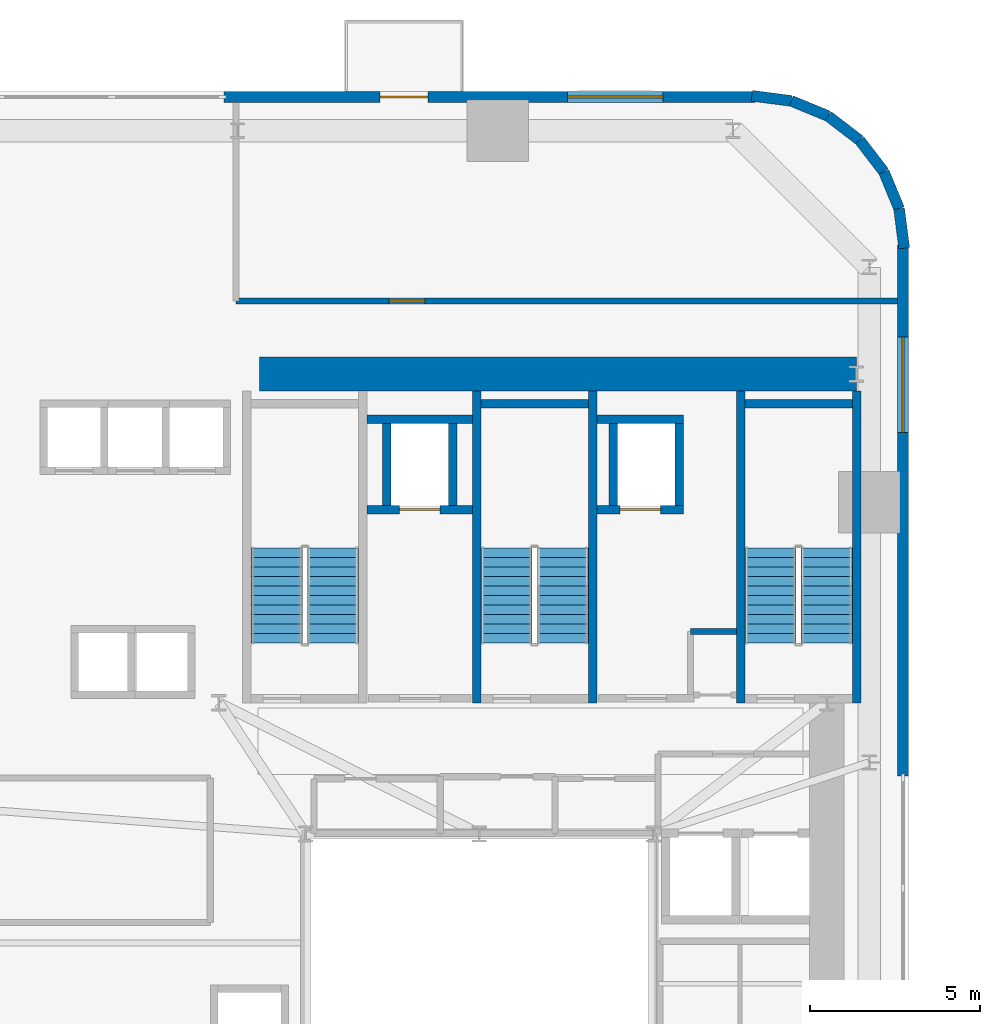
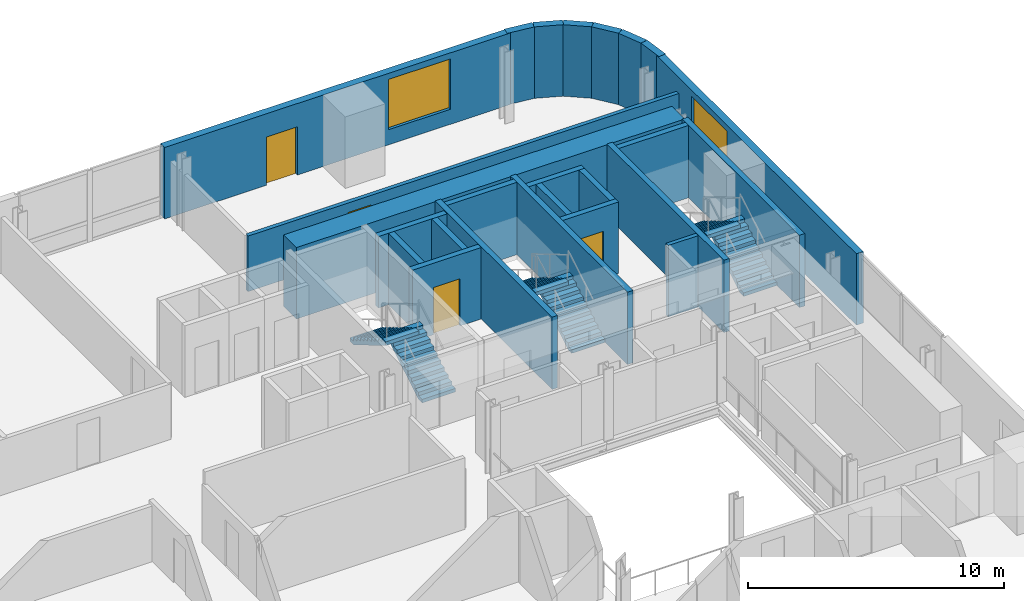
# One storey, part 9 of 13: 25 walls, 6 stair flights, 4 doors, 2 windows, 6 openings, 3 elements without a shape of their own.
"""IFC4 building model written with IfcOpenShell, lengths in metres."""

from ifc_helpers import new_model, si_unit, direction, frame, frame_2d, origin, place, context, subcontext, project, spatial, polyline, rectangle, outline, extrude, source, transform, mapped, material, layer, layer_set, type_object, element, fill, aggregate, save


model = new_model("IFC4")

# Units and contexts
model_context = context("Model", 3, precision=1e-05, world=origin(), true_north=direction((0.0, 1.0)))
body_context = subcontext(model_context, "Body", "Model", "MODEL_VIEW")
ifc_project = project(units=[si_unit("LENGTHUNIT", "METRE"), si_unit("AREAUNIT", "SQUARE_METRE"), si_unit("VOLUMEUNIT", "CUBIC_METRE"), si_unit("PLANEANGLEUNIT", "RADIAN"), si_unit("MASSUNIT", "GRAM", prefix="KILO")], contexts=[model_context])

# Site, building, storey
site_placement = place(None, origin())
site = spatial("IfcSite", under=ifc_project, at=site_placement, CompositionType="ELEMENT")
building_placement = place(site_placement, origin())
building = spatial("IfcBuilding", under=site, at=building_placement, Name="Vardaveli Station Tower", CompositionType="ELEMENT")
storey_placement = place(building_placement, frame((0.0, 0.0, 56.800048828125)))
storey = spatial("IfcBuildingStorey", under=building, at=storey_placement, Name="L14", CompositionType="ELEMENT", Elevation=56.800048828125)

# Wall
ifc_material_1 = material(Name="Concrete C60/75", Category="concrete")
ifc_layer_1 = layer(ifc_material_1, 1.0, Name="Concrete C60/75")
ifc_layer_set_1 = layer_set([ifc_layer_1], Name="Concrete C60/75")
wall_type_1 = type_object("IfcWallType", Name="WAL-CORE-1000", PredefinedType="SHEAR", material=ifc_layer_set_1)
shared_shape_1 = source(origin(), body_context, "Body", "SweptSolid", [
    extrude(rectangle(XDim=17.52001953125, YDim=1.0, at=frame_2d((8.760009765625, 0.0))), origin(), (0.0, 0.0, 1.0), 3.409912109375),
])
wall_1_placement = place(storey_placement, frame((29.85009765625, 40.300048828125, 0.0), z_axis=(0.0, 0.0, 1.0), x_axis=(1.0, 0.0, 0.0)))
element("IfcWall", 1, at=wall_1_placement, inside=storey, type_object=wall_type_1, Name="SW-L14-NORTH", PredefinedType="SHEAR", context=body_context, shape_type="MappedRepresentation", body=[
    mapped(shared_shape_1, transform((0.0, 0.0, 0.0), scale=1.0)),
])

# Wall, openings, door, window
ifc_material_2 = material(Name="Precast concrete C45/55", Category="concrete")
ifc_layer_2 = layer(ifc_material_2, 0.320068359375, Name="Precast concrete C45/55")
ifc_layer_set_2 = layer_set([ifc_layer_2], Name="Precast concrete C45/55")
wall_type_2 = type_object("IfcWallType", Name="WAL-EXT-STONE-320", PredefinedType="SOLIDWALL", material=ifc_layer_set_2)
shared_shape_2 = source(origin(), body_context, "Body", "SweptSolid", [
    extrude(rectangle(XDim=15.599853515625, YDim=0.320068359375, at=frame_2d((7.7998046875, 0.0))), origin(), (0.0, 0.0, 1.0), 3.409912109375),
])
wall_2_placement = place(storey_placement, frame((44.39990234375, 48.43994140625, 0.0), z_axis=(0.0, 0.0, 1.0), x_axis=(-1.0, 0.0, 0.0)))
wall_2 = element("IfcWall", 2, at=wall_2_placement, inside=storey, type_object=wall_type_2, Name="EW-L14-N1", PredefinedType="SOLIDWALL", context=body_context, shape_type="MappedRepresentation", body=[
    mapped(shared_shape_2, transform((0.0, 0.0, 0.0), scale=1.0)),
])
shared_shape_3 = source(origin(), body_context, "Body", "SweptSolid", [
    extrude(rectangle(XDim=1.39990234375, YDim=2.300048828125, at=frame_2d((0.699951171875, 1.14990234375))), frame((0.0, 0.169921875, 0.0), z_axis=(0.0, -1.0, 0.0), x_axis=(1.0, 0.0, 0.0)), (0.0, 0.0, 1.0), 0.340087890625),
])
opening_1_placement = place(wall_2_placement, frame((9.6103515625, 0.0, 0.0)))
opening_1 = element("IfcOpeningElement", 3, at=opening_1_placement, cuts=wall_2, Name="Opening D-09", PredefinedType="OPENING", context=body_context, shape_type="MappedRepresentation", body=[
    mapped(shared_shape_3, transform((0.0, 0.0, 0.0), scale=1.0)),
])
shared_shape_4 = source(origin(), body_context, "Body", "SweptSolid", [
    extrude(rectangle(XDim=2.800048828125, YDim=2.39990234375, at=frame_2d((1.39990234375, 1.199951171875))), frame((0.0, 0.169921875, 0.0), z_axis=(0.0, -1.0, 0.0), x_axis=(1.0, 0.0, 0.0)), (0.0, 0.0, 1.0), 0.340087890625),
])
opening_2_placement = place(wall_2_placement, frame((2.705078125, 0.0, 0.719970703125)))
opening_2 = element("IfcOpeningElement", 4, at=opening_2_placement, cuts=wall_2, Name="Opening W-04", PredefinedType="OPENING", context=body_context, shape_type="MappedRepresentation", body=[
    mapped(shared_shape_4, transform((0.0, 0.0, 0.0), scale=1.0)),
])
ifc_material_3 = material(Name="Thermally broken aluminium glass", Category="aluminium")
door_type_1 = type_object("IfcDoorType", Name="DR-LOG-1400x2300", OperationType="DOUBLE_DOOR_SLIDING", PredefinedType="DOOR", material=ifc_material_3)
shared_shape_5 = source(origin(), body_context, "Body", "SweptSolid", [
    extrude(rectangle(XDim=1.39990234375, YDim=2.300048828125, at=frame_2d((0.699951171875, 1.14990234375))), frame((0.0, 0.02490234375, 0.0), z_axis=(0.0, -1.0, 0.0), x_axis=(1.0, 0.0, 0.0)), (0.0, 0.0, 1.0), 0.050048828125),
])
door_1_placement = place(opening_1_placement, frame((1.39990234375, 0.0, 0.0), z_axis=(0.0, 0.0, 1.0), x_axis=(-1.0, 0.0, 0.0)))
door_1 = element("IfcDoor", 5, at=door_1_placement, inside=storey, type_object=door_type_1, Name="DLG-L14-N", OperationType="DOUBLE_DOOR_SLIDING", OverallHeight=2.300048828125, OverallWidth=1.39990234375, PredefinedType="DOOR", context=body_context, shape_type="MappedRepresentation", body=[
    mapped(shared_shape_5, transform((0.0, 0.0, 0.0), scale=1.0)),
])
fill(opening_1, door_1)
ifc_material_4 = material(Name="Low-E solar-control glass", Category="glass")
window_type = type_object("IfcWindowType", Name="WIN-SUITE-2800x2400", PartitioningType="SINGLE_PANEL", PredefinedType="WINDOW", material=ifc_material_4)
shared_shape_6 = source(origin(), body_context, "Body", "SweptSolid", [
    extrude(rectangle(XDim=2.800048828125, YDim=2.39990234375, at=frame_2d((1.39990234375, 1.199951171875))), frame((0.0, 0.030029296875, 0.0), z_axis=(0.0, -1.0, 0.0), x_axis=(1.0, 0.0, 0.0)), (0.0, 0.0, 1.0), 0.06005859375),
])
window_1_placement = place(opening_2_placement, origin())
window_1 = element("IfcWindow", 6, at=window_1_placement, inside=storey, type_object=window_type, Name="WN-L14-N1", OverallHeight=2.39990234375, OverallWidth=2.800048828125, PartitioningType="SINGLE_PANEL", PredefinedType="WINDOW", context=body_context, shape_type="MappedRepresentation", body=[
    mapped(shared_shape_6, transform((0.0, 0.0, 0.0), scale=1.0)),
])
fill(opening_2, window_1)

# Wall, opening, window
shared_shape_7 = source(origin(), body_context, "Body", "SweptSolid", [
    extrude(rectangle(XDim=15.60009765625, YDim=0.320068359375, at=frame_2d((7.800048828125, 0.0))), origin(), (0.0, 0.0, 1.0), 3.409912109375),
])
wall_3_placement = place(storey_placement, frame((48.739990234375, 28.5, 0.0), z_axis=(0.0, 0.0, 1.0), x_axis=(0.0, 1.0, 0.0)))
wall_3 = element("IfcWall", 7, at=wall_3_placement, inside=storey, type_object=wall_type_2, Name="EW-L14-E2", PredefinedType="SOLIDWALL", context=body_context, shape_type="MappedRepresentation", body=[
    mapped(shared_shape_7, transform((0.0, 0.0, 0.0), scale=1.0)),
])
opening_3_placement = place(wall_3_placement, frame((10.094970703125, 0.0, 0.719970703125)))
opening_3 = element("IfcOpeningElement", 8, at=opening_3_placement, cuts=wall_3, Name="Opening W-04", PredefinedType="OPENING", context=body_context, shape_type="MappedRepresentation", body=[
    mapped(shared_shape_4, transform((0.0, 0.0, 0.0), scale=1.0)),
])
window_2_placement = place(opening_3_placement, origin())
window_2 = element("IfcWindow", 9, at=window_2_placement, inside=storey, type_object=window_type, Name="WN-L14-E2", OverallHeight=2.39990234375, OverallWidth=2.800048828125, PartitioningType="SINGLE_PANEL", PredefinedType="WINDOW", context=body_context, shape_type="MappedRepresentation", body=[
    mapped(shared_shape_6, transform((0.0, 0.0, 0.0), scale=1.0)),
])
fill(opening_3, window_2)

# Walls
shared_shape_8 = source(origin(), body_context, "Body", "SweptSolid", [
    extrude(rectangle(XDim=1.1689453125, YDim=0.320068359375, at=frame_2d((0.58447265625, 0.0))), origin(), (0.0, 0.0, 1.0), 3.409912109375),
])
wall_4_placement = place(storey_placement, frame((48.179931640625, 46.2412109375, 0.0), z_axis=(0.0, 0.0, 1.0), x_axis=(-0.608387696831, 0.793639975269, 0.0)))
element("IfcWall", 10, at=wall_4_placement, inside=storey, type_object=wall_type_2, Name="EW-L14-CR3-3", PredefinedType="SOLIDWALL", context=body_context, shape_type="MappedRepresentation", body=[
    mapped(shared_shape_8, transform((0.0, 0.0, 0.0), scale=1.0)),
])
shared_shape_9 = source(origin(), body_context, "Body", "SweptSolid", [
    extrude(rectangle(XDim=1.168701171875, YDim=0.320068359375, at=frame_2d((0.58447265625, 0.0))), origin(), (0.0, 0.0, 1.0), 3.409912109375),
])
wall_5_placement = place(storey_placement, frame((47.46875, 47.1689453125, 0.0), z_axis=(0.0, 0.0, 1.0), x_axis=(-0.793663520347, 0.608356981114, 0.0)))
element("IfcWall", 11, at=wall_5_placement, inside=storey, type_object=wall_type_2, Name="EW-L14-CR3-4", PredefinedType="SOLIDWALL", context=body_context, shape_type="MappedRepresentation", body=[
    mapped(shared_shape_9, transform((0.0, 0.0, 0.0), scale=1.0)),
])
shared_shape_10 = source(origin(), body_context, "Body", "SweptSolid", [
    extrude(rectangle(XDim=1.17041015625, YDim=0.320068359375, at=frame_2d((0.585205078125, 0.0))), origin(), (0.0, 0.0, 1.0), 3.409912109375),
])
for number, where, z_axis, x_axis, name in (
    (12, (48.775634765625, 43.99951171875, 0.0), (0.0, 0.0, 1.0), (-0.128295670475, 0.991735963317, 0.0), "EW-L14-CR3-1"),
    (13, (45.460205078125, 48.325439453125, 0.0), (0.0, 0.0, 1.0), (-0.991735963317, 0.128295670475, 0.0), "EW-L14-CR3-6"),
):
    element("IfcWall", number, at=place(storey_placement, frame(where, z_axis=z_axis, x_axis=x_axis)), inside=storey, type_object=wall_type_2, Name=name, PredefinedType="SOLIDWALL", context=body_context, shape_type="MappedRepresentation", body=[
        mapped(shared_shape_10, transform((0.0, 0.0, 0.0), scale=1.0)),
    ])
shared_shape_11 = source(origin(), body_context, "Body", "SweptSolid", [
    extrude(rectangle(XDim=1.169189453125, YDim=0.320068359375, at=frame_2d((0.58447265625, 0.0))), origin(), (0.0, 0.0, 1.0), 3.409912109375),
])
for number, where, z_axis, x_axis, name in (
    (14, (48.62548828125, 45.16015625, 0.0), (0.0, 0.0, 1.0), (-0.381054331552, 0.924552646638, 0.0), "EW-L14-CR3-2"),
    (15, (46.541259765625, 47.8798828125, 0.0), (0.0, 0.0, 1.0), (-0.924552646638, 0.381054331552, 0.0), "EW-L14-CR3-5"),
):
    element("IfcWall", number, at=place(storey_placement, frame(where, z_axis=z_axis, x_axis=x_axis)), inside=storey, type_object=wall_type_2, Name=name, PredefinedType="SOLIDWALL", context=body_context, shape_type="MappedRepresentation", body=[
        mapped(shared_shape_11, transform((0.0, 0.0, 0.0), scale=1.0)),
    ])
ifc_material_5 = material(Name="Concrete C40/50", Category="concrete")
ifc_layer_3 = layer(ifc_material_5, 0.25, Name="Concrete C40/50")
ifc_layer_set_3 = layer_set([ifc_layer_3], Name="Concrete C40/50")
wall_type_3 = type_object("IfcWallType", Name="WAL-SHAFT-250", PredefinedType="SOLIDWALL", material=ifc_layer_set_3)
shared_shape_12 = source(origin(), body_context, "Body", "SweptSolid", [
    extrude(rectangle(XDim=9.150146484375, YDim=0.25, at=frame_2d((4.5751953125, 0.0))), origin(), (0.0, 0.0, 1.0), 3.449951171875),
])
for number, where, z_axis, x_axis, name in (
    (16, (36.22509765625, 30.64990234375, 0.0), (0.0, 0.0, 1.0), (0.0, 1.0, 0.0), "W-L14-ST-2W"),
    (17, (39.625, 30.64990234375, 0.0), (0.0, 0.0, 1.0), (0.0, 1.0, 0.0), "W-L14-ST-2E"),
    (18, (43.97509765625, 30.64990234375, 0.0), (0.0, 0.0, 1.0), (0.0, 1.0, 0.0), "W-L14-ST-3W"),
    (19, (47.375, 30.64990234375, 0.0), (0.0, 0.0, 1.0), (0.0, 1.0, 0.0), "W-L14-ST-3E"),
):
    element("IfcWall", number, at=place(storey_placement, frame(where, z_axis=z_axis, x_axis=x_axis)), inside=storey, type_object=wall_type_3, Name=name, PredefinedType="SOLIDWALL", context=body_context, shape_type="MappedRepresentation", body=[
        mapped(shared_shape_12, transform((0.0, 0.0, 0.0), scale=1.0)),
    ])
shared_shape_13 = source(origin(), body_context, "Body", "SweptSolid", [
    extrude(rectangle(XDim=3.14990234375, YDim=0.25, at=frame_2d((1.574951171875, 0.0))), origin(), (0.0, 0.0, 1.0), 3.449951171875),
])
for number, where, z_axis, x_axis, name in (
    (20, (36.35009765625, 39.425048828125, 0.0), (0.0, 0.0, 1.0), (1.0, 0.0, 0.0), "W-L14-ST-2N"),
    (21, (44.10009765625, 39.425048828125, 0.0), (0.0, 0.0, 1.0), (1.0, 0.0, 0.0), "W-L14-ST-3N"),
):
    element("IfcWall", number, at=place(storey_placement, frame(where, z_axis=z_axis, x_axis=x_axis)), inside=storey, type_object=wall_type_3, Name=name, PredefinedType="SOLIDWALL", context=body_context, shape_type="MappedRepresentation", body=[
        mapped(shared_shape_13, transform((0.0, 0.0, 0.0), scale=1.0)),
    ])

# Wall, opening, door
shared_shape_14 = source(origin(), body_context, "Body", "SweptSolid", [
    extrude(rectangle(XDim=3.10009765625, YDim=0.25, at=frame_2d((1.550048828125, 0.0))), origin(), (0.0, 0.0, 1.0), 3.409912109375),
])
wall_6_placement = place(storey_placement, frame((33.0, 36.324951171875, 0.0), z_axis=(0.0, 0.0, 1.0), x_axis=(1.0, 0.0, 0.0)))
wall_6 = element("IfcWall", 22, at=wall_6_placement, inside=storey, type_object=wall_type_3, Name="SHW-FFL-01-L14-S", PredefinedType="SOLIDWALL", context=body_context, shape_type="MappedRepresentation", body=[
    mapped(shared_shape_14, transform((0.0, 0.0, 0.0), scale=1.0)),
])
shared_shape_15 = source(origin(), body_context, "Body", "SweptSolid", [
    extrude(rectangle(XDim=1.199951171875, YDim=2.25, at=frame_2d((0.60009765625, 1.125))), frame((0.0, 0.135009765625, 0.0), z_axis=(0.0, -1.0, 0.0), x_axis=(1.0, 0.0, 0.0)), (0.0, 0.0, 1.0), 0.27001953125),
])
opening_4_placement = place(wall_6_placement, frame((0.949951171875, 0.0, 0.0)))
opening_4 = element("IfcOpeningElement", 23, at=opening_4_placement, cuts=wall_6, Name="Opening LD-02", PredefinedType="OPENING", context=body_context, shape_type="MappedRepresentation", body=[
    mapped(shared_shape_15, transform((0.0, 0.0, 0.0), scale=1.0)),
])
ifc_material_6 = material(Name="Brushed stainless steel", Category="steel")
door_type_2 = type_object("IfcDoorType", Name="DR-LD-1200x2250", OperationType="DOUBLE_DOOR_SLIDING", PredefinedType="DOOR", material=ifc_material_6)
shared_shape_16 = source(origin(), body_context, "Body", "SweptSolid", [
    extrude(rectangle(XDim=1.199951171875, YDim=2.25, at=frame_2d((0.60009765625, 1.125))), frame((0.0, 0.02490234375, 0.0), z_axis=(0.0, -1.0, 0.0), x_axis=(1.0, 0.0, 0.0)), (0.0, 0.0, 1.0), 0.050048828125),
])
door_2_placement = place(opening_4_placement, origin())
door_2 = element("IfcDoor", 24, at=door_2_placement, inside=storey, type_object=door_type_2, Name="LD-FFL-01-L14", OperationType="DOUBLE_DOOR_SLIDING", OverallHeight=2.25, OverallWidth=1.199951171875, PredefinedType="DOOR", context=body_context, shape_type="MappedRepresentation", body=[
    mapped(shared_shape_16, transform((0.0, 0.0, 0.0), scale=1.0)),
])
fill(opening_4, door_2)

# Walls
wall_7_placement = place(storey_placement, frame((33.0, 38.97509765625, 0.0), z_axis=(0.0, 0.0, 1.0), x_axis=(1.0, 0.0, 0.0)))
element("IfcWall", 25, at=wall_7_placement, inside=storey, type_object=wall_type_3, Name="SHW-FFL-01-L14-N", PredefinedType="SOLIDWALL", context=body_context, shape_type="MappedRepresentation", body=[
    mapped(shared_shape_14, transform((0.0, 0.0, 0.0), scale=1.0)),
])
shared_shape_17 = source(origin(), body_context, "Body", "SweptSolid", [
    extrude(rectangle(XDim=2.400146484375, YDim=0.25, at=frame_2d((1.2001953125, 0.0))), origin(), (0.0, 0.0, 1.0), 3.409912109375),
])
for number, where, z_axis, x_axis, name in (
    (26, (33.574951171875, 36.449951171875, 0.0), (0.0, 0.0, 1.0), (0.0, 1.0, 0.0), "SHW-FFL-01-L14-W"),
    (27, (35.52490234375, 36.449951171875, 0.0), (0.0, 0.0, 1.0), (0.0, 1.0, 0.0), "SHW-FFL-01-L14-E"),
    (28, (40.22509765625, 36.449951171875, 0.0), (0.0, 0.0, 1.0), (0.0, 1.0, 0.0), "SHW-FFL-02-L14-W"),
    (29, (42.175048828125, 36.449951171875, 0.0), (0.0, 0.0, 1.0), (0.0, 1.0, 0.0), "SHW-FFL-02-L14-E"),
):
    element("IfcWall", number, at=place(storey_placement, frame(where, z_axis=z_axis, x_axis=x_axis)), inside=storey, type_object=wall_type_3, Name=name, PredefinedType="SOLIDWALL", context=body_context, shape_type="MappedRepresentation", body=[
        mapped(shared_shape_17, transform((0.0, 0.0, 0.0), scale=1.0)),
    ])

# Wall, opening, door
shared_shape_18 = source(origin(), body_context, "Body", "SweptSolid", [
    extrude(rectangle(XDim=2.550048828125, YDim=0.25, at=frame_2d((1.27490234375, 0.0))), origin(), (0.0, 0.0, 1.0), 3.409912109375),
])
wall_8_placement = place(storey_placement, frame((39.75, 36.324951171875, 0.0), z_axis=(0.0, 0.0, 1.0), x_axis=(1.0, 0.0, 0.0)))
wall_8 = element("IfcWall", 30, at=wall_8_placement, inside=storey, type_object=wall_type_3, Name="SHW-FFL-02-L14-S", PredefinedType="SOLIDWALL", context=body_context, shape_type="MappedRepresentation", body=[
    mapped(shared_shape_18, transform((0.0, 0.0, 0.0), scale=1.0)),
])
opening_5_placement = place(wall_8_placement, frame((0.675048828125, 0.0, 0.0)))
opening_5 = element("IfcOpeningElement", 31, at=opening_5_placement, cuts=wall_8, Name="Opening LD-02", PredefinedType="OPENING", context=body_context, shape_type="MappedRepresentation", body=[
    mapped(shared_shape_15, transform((0.0, 0.0, 0.0), scale=1.0)),
])
door_3_placement = place(opening_5_placement, origin())
door_3 = element("IfcDoor", 32, at=door_3_placement, inside=storey, type_object=door_type_2, Name="LD-FFL-02-L14", OperationType="DOUBLE_DOOR_SLIDING", OverallHeight=2.25, OverallWidth=1.199951171875, PredefinedType="DOOR", context=body_context, shape_type="MappedRepresentation", body=[
    mapped(shared_shape_16, transform((0.0, 0.0, 0.0), scale=1.0)),
])
fill(opening_5, door_3)

# Wall
wall_9_placement = place(storey_placement, frame((39.75, 38.97509765625, 0.0), z_axis=(0.0, 0.0, 1.0), x_axis=(1.0, 0.0, 0.0)))
element("IfcWall", 33, at=wall_9_placement, inside=storey, type_object=wall_type_3, Name="SHW-FFL-02-L14-N", PredefinedType="SOLIDWALL", context=body_context, shape_type="MappedRepresentation", body=[
    mapped(shared_shape_18, transform((0.0, 0.0, 0.0), scale=1.0)),
])

# Wall, opening, door
ifc_material_7 = material(Name="Fire-rated gypsum stud partition")
ifc_layer_4 = layer(ifc_material_7, 0.179931640625, Name="Fire-rated gypsum stud partition")
ifc_layer_set_4 = layer_set([ifc_layer_4], Name="Fire-rated gypsum stud partition")
wall_type_4 = type_object("IfcWallType", Name="WAL-CORR-180", PredefinedType="PARTITIONING", material=ifc_layer_set_4)
shared_shape_19 = source(origin(), body_context, "Body", "SweptSolid", [
    extrude(rectangle(XDim=19.427978515625, YDim=0.179931640625, at=frame_2d((9.7138671875, 0.0))), origin(), (0.0, 0.0, 1.0), 2.65185546875),
])
wall_10_placement = place(storey_placement, frame((29.14990234375, 42.449951171875, 0.0), z_axis=(0.0, 0.0, 1.0), x_axis=(1.0, 0.0, 0.0)))
wall_10 = element("IfcWall", 34, at=wall_10_placement, inside=storey, type_object=wall_type_4, Name="W-L14-NPS", PredefinedType="PARTITIONING", context=body_context, shape_type="MappedRepresentation", body=[
    mapped(shared_shape_19, transform((0.0, 0.0, 0.0), scale=1.0)),
])
shared_shape_20 = source(origin(), body_context, "Body", "SweptSolid", [
    extrude(rectangle(XDim=1.050048828125, YDim=2.199951171875, at=frame_2d((0.52490234375, 1.10009765625))), frame((0.0, 0.10009765625, 0.0), z_axis=(0.0, -1.0, 0.0), x_axis=(1.0, 0.0, 0.0)), (0.0, 0.0, 1.0), 0.199951171875),
])
opening_6_placement = place(wall_10_placement, frame((4.5, 0.0, 0.0)))
opening_6 = element("IfcOpeningElement", 35, at=opening_6_placement, cuts=wall_10, Name="Opening D-05", PredefinedType="OPENING", context=body_context, shape_type="MappedRepresentation", body=[
    mapped(shared_shape_20, transform((0.0, 0.0, 0.0), scale=1.0)),
])
ifc_material_8 = material(Name="Walnut veneer acoustic fire door")
door_type_3 = type_object("IfcDoorType", Name="DR-SUITE-1050x2200", OperationType="NOTDEFINED", PredefinedType="DOOR", material=ifc_material_8)
shared_shape_21 = source(origin(), body_context, "Body", "SweptSolid", [
    extrude(rectangle(XDim=1.050048828125, YDim=2.199951171875, at=frame_2d((0.52490234375, 1.10009765625))), frame((0.0, 0.02490234375, 0.0), z_axis=(0.0, -1.0, 0.0), x_axis=(1.0, 0.0, 0.0)), (0.0, 0.0, 1.0), 0.050048828125),
])
door_4_placement = place(opening_6_placement, origin())
door_4 = element("IfcDoor", 36, at=door_4_placement, inside=storey, type_object=door_type_3, Name="D-L14-NP1", OperationType="SINGLE_SWING_LEFT", OverallHeight=2.199951171875, OverallWidth=1.050048828125, PredefinedType="DOOR", context=body_context, shape_type="MappedRepresentation", body=[
    mapped(shared_shape_21, transform((0.0, 0.0, 0.0), scale=1.0)),
])
fill(opening_6, door_4)

# Wall
shared_shape_22 = source(origin(), body_context, "Body", "SweptSolid", [
    extrude(rectangle(XDim=1.347900390625, YDim=0.179931640625, at=frame_2d((0.673828125, 0.0))), origin(), (0.0, 0.0, 1.0), 3.409912109375),
])
wall_11_placement = place(storey_placement, frame((42.5, 32.75, 0.0), z_axis=(0.0, 0.0, 1.0), x_axis=(1.0, 0.0, 0.0)))
element("IfcWall", 37, at=wall_11_placement, inside=storey, type_object=wall_type_4, Name="W-L14-CBS2A-N", PredefinedType="PARTITIONING", context=body_context, shape_type="MappedRepresentation", body=[
    mapped(shared_shape_22, transform((0.0, 0.0, 0.0), scale=1.0)),
])

# Stair, stair flights
stair_type = type_object("IfcStairType", Name="STR-CORE-1500", PredefinedType="HALF_TURN_STAIR", material=ifc_material_5)
stair_1_placement = place(storey_placement, origin())
stair_1 = element("IfcStair", 38, at=stair_1_placement, inside=storey, type_object=stair_type, Name="L14 ST-1", PredefinedType="HALF_TURN_STAIR")
stair_flight_type = type_object("IfcStairFlightType", Name="SFL-CORE-1500", PredefinedType="STRAIGHT", material=ifc_material_5)
shared_shape_23 = source(origin(), body_context, "Body", "SweptSolid", [
    extrude(outline(polyline([(0.0, 0.0), (0.0, 0.166015625), (0.280029296875, 0.166015625), (0.280029296875, 0.331787109375), (0.56005859375, 0.331787109375), (0.56005859375, 0.497802734375), (0.840087890625, 0.497802734375), (0.840087890625, 0.66357421875), (1.1201171875, 0.66357421875), (1.1201171875, 0.82958984375), (1.39990234375, 0.82958984375), (1.39990234375, 0.995361328125), (1.679931640625, 0.995361328125), (1.679931640625, 1.161376953125), (1.9599609375, 1.161376953125), (1.9599609375, 1.327392578125), (2.239990234375, 1.327392578125), (2.239990234375, 1.4931640625), (2.52001953125, 1.4931640625), (2.52001953125, 1.6591796875), (2.800048828125, 1.6591796875), (2.800048828125, 1.824951171875), (2.800048828125, 1.48486328125), (0.2939453125, 0.0), (0.0, 0.0)])), frame((0.0, 0.75, 0.0), z_axis=(0.0, -1.0, 0.0), x_axis=(1.0, 0.0, 0.0)), (0.0, 0.0, 1.0), 1.5),
])
stair_flight_1_placement = place(storey_placement, frame((32.0, 32.39990234375, 0.0), z_axis=(0.0, 0.0, 1.0), x_axis=(0.0, 1.0, 0.0)))
stair_flight_1 = element("IfcStairFlight", 39, at=stair_flight_1_placement, type_object=stair_flight_type, Name="ST-1 flight 1", NumberOfRisers=11, NumberOfTreads=10, PredefinedType="STRAIGHT", RiserHeight=0.165909091, TreadLength=0.28, context=body_context, shape_type="MappedRepresentation", body=[
    mapped(shared_shape_23, transform((0.0, 0.0, 0.0), scale=1.0)),
])
stair_flight_2_placement = place(storey_placement, frame((30.35009765625, 35.199951171875, 1.824951171875), z_axis=(0.0, 0.0, 1.0), x_axis=(0.0, -1.0, 0.0)))
stair_flight_2 = element("IfcStairFlight", 40, at=stair_flight_2_placement, type_object=stair_flight_type, Name="ST-1 flight 2", NumberOfRisers=11, NumberOfTreads=10, PredefinedType="STRAIGHT", RiserHeight=0.165909091, TreadLength=0.28, context=body_context, shape_type="MappedRepresentation", body=[
    mapped(shared_shape_23, transform((0.0, 0.0, 0.0), scale=1.0)),
])
aggregate(stair_1, [stair_flight_1, stair_flight_2])

stair_2_placement = place(storey_placement, origin())
stair_2 = element("IfcStair", 41, at=stair_2_placement, inside=storey, type_object=stair_type, Name="L14 ST-2", PredefinedType="HALF_TURN_STAIR")
stair_flight_3_placement = place(storey_placement, frame((38.75, 32.39990234375, 0.0), z_axis=(0.0, 0.0, 1.0), x_axis=(0.0, 1.0, 0.0)))
stair_flight_3 = element("IfcStairFlight", 42, at=stair_flight_3_placement, type_object=stair_flight_type, Name="ST-2 flight 1", NumberOfRisers=11, NumberOfTreads=10, PredefinedType="STRAIGHT", RiserHeight=0.165909091, TreadLength=0.28, context=body_context, shape_type="MappedRepresentation", body=[
    mapped(shared_shape_23, transform((0.0, 0.0, 0.0), scale=1.0)),
])
stair_flight_4_placement = place(storey_placement, frame((37.10009765625, 35.199951171875, 1.824951171875), z_axis=(0.0, 0.0, 1.0), x_axis=(0.0, -1.0, 0.0)))
stair_flight_4 = element("IfcStairFlight", 43, at=stair_flight_4_placement, type_object=stair_flight_type, Name="ST-2 flight 2", NumberOfRisers=11, NumberOfTreads=10, PredefinedType="STRAIGHT", RiserHeight=0.165909091, TreadLength=0.28, context=body_context, shape_type="MappedRepresentation", body=[
    mapped(shared_shape_23, transform((0.0, 0.0, 0.0), scale=1.0)),
])
aggregate(stair_2, [stair_flight_3, stair_flight_4])

stair_3_placement = place(storey_placement, origin())
stair_3 = element("IfcStair", 44, at=stair_3_placement, inside=storey, type_object=stair_type, Name="L14 ST-3", PredefinedType="HALF_TURN_STAIR")
stair_flight_5_placement = place(storey_placement, frame((46.5, 32.39990234375, 0.0), z_axis=(0.0, 0.0, 1.0), x_axis=(0.0, 1.0, 0.0)))
stair_flight_5 = element("IfcStairFlight", 45, at=stair_flight_5_placement, type_object=stair_flight_type, Name="ST-3 flight 1", NumberOfRisers=11, NumberOfTreads=10, PredefinedType="STRAIGHT", RiserHeight=0.165909091, TreadLength=0.28, context=body_context, shape_type="MappedRepresentation", body=[
    mapped(shared_shape_23, transform((0.0, 0.0, 0.0), scale=1.0)),
])
stair_flight_6_placement = place(storey_placement, frame((44.85009765625, 35.199951171875, 1.824951171875), z_axis=(0.0, 0.0, 1.0), x_axis=(0.0, -1.0, 0.0)))
stair_flight_6 = element("IfcStairFlight", 46, at=stair_flight_6_placement, type_object=stair_flight_type, Name="ST-3 flight 2", NumberOfRisers=11, NumberOfTreads=10, PredefinedType="STRAIGHT", RiserHeight=0.165909091, TreadLength=0.28, context=body_context, shape_type="MappedRepresentation", body=[
    mapped(shared_shape_23, transform((0.0, 0.0, 0.0), scale=1.0)),
])
aggregate(stair_3, [stair_flight_5, stair_flight_6])

save(model, "model.ifc")
